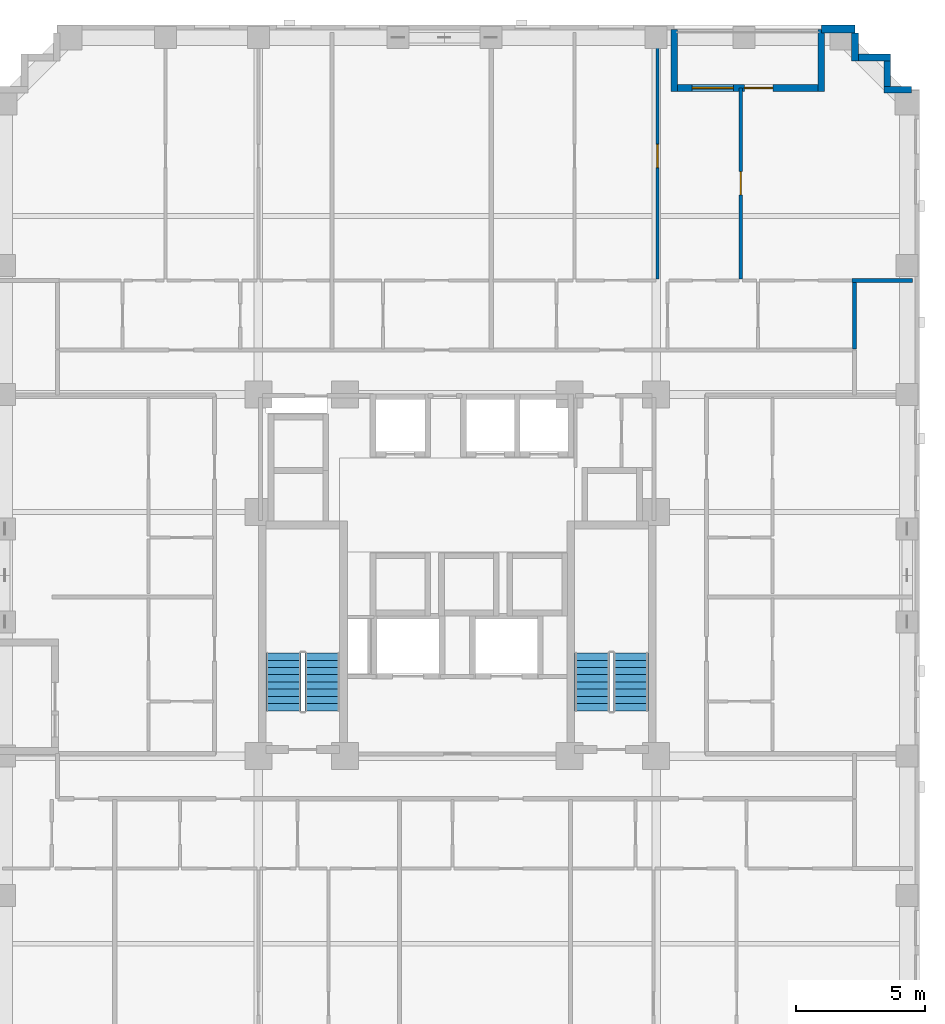
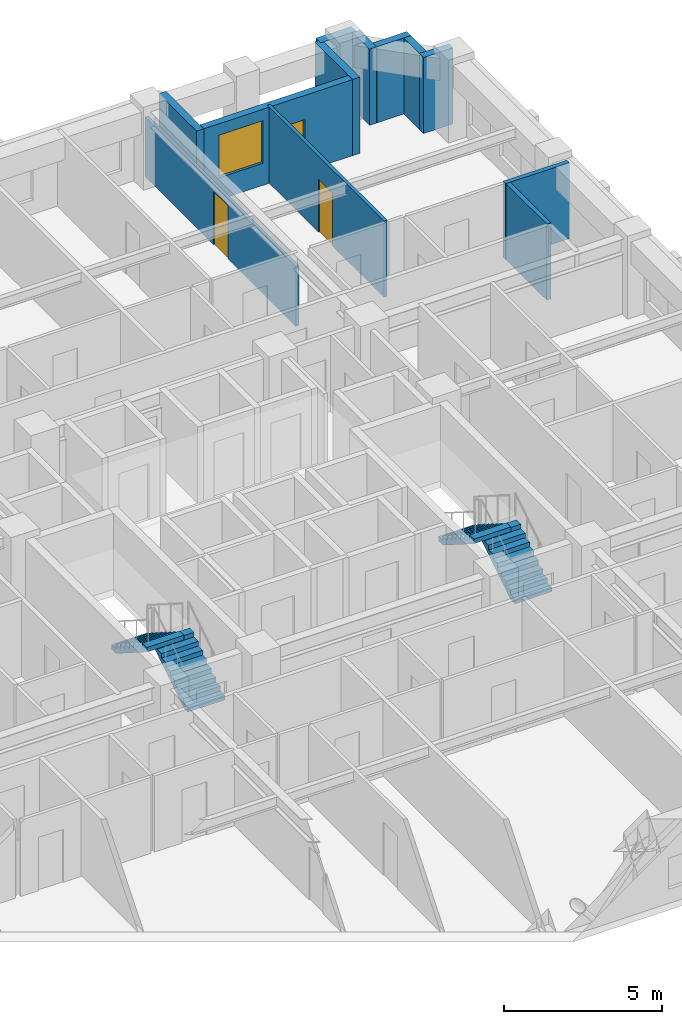
# One storey, part 8 of 12: 12 walls, 4 stair flights, 3 doors, 1 window, 4 openings, 2 elements without a shape of their own.
"""IFC4 building model written with IfcOpenShell, lengths in metres."""

from ifc_helpers import new_model, si_unit, derived_unit, direction, frame, frame_2d, origin, place, context, subcontext, project, spatial, polyline, rectangle, outline, extrude, material, layer, layer_set, type_object, element, fill, aggregate, save


model = new_model("IFC4")

# Units and contexts
model_context = context("Model", 3, precision=1e-05, world=origin(), true_north=direction((0.0, 1.0)))
body_context = subcontext(model_context, "Body", "Model", "MODEL_VIEW")
ifc_project = project(units=[si_unit("LENGTHUNIT", "METRE"), si_unit("AREAUNIT", "SQUARE_METRE"), si_unit("VOLUMEUNIT", "CUBIC_METRE"), si_unit("PLANEANGLEUNIT", "RADIAN"), si_unit("MASSUNIT", "GRAM", prefix="KILO"), derived_unit("THERMALTRANSMITTANCEUNIT", [(si_unit("MASSUNIT", "GRAM", prefix="KILO"), 1), (si_unit("TIMEUNIT", "SECOND"), -3), (si_unit("THERMODYNAMICTEMPERATUREUNIT", "KELVIN"), -1)])], contexts=[model_context])

# Site, building, storey
site_placement = place(None, origin())
site = spatial("IfcSite", under=ifc_project, at=site_placement, CompositionType="ELEMENT")
building_placement = place(site_placement, origin())
building = spatial("IfcBuilding", under=site, at=building_placement, Name="Korrvale Station Residences", CompositionType="ELEMENT")
storey_placement = place(building_placement, frame((0.0, 0.0, 91.10009765625)))
storey = spatial("IfcBuildingStorey", under=building, at=storey_placement, Name="L25", CompositionType="ELEMENT", Elevation=91.10009765625)

# Wall
ifc_material_1 = material(Name="Precast concrete C45/55", Category="concrete")
ifc_layer_1 = layer(ifc_material_1, 0.260009765625, Name="Precast concrete C45/55")
ifc_layer_set_1 = layer_set([ifc_layer_1], Name="Precast concrete C45/55")
wall_type_1 = type_object("IfcWallType", Name="WAL-EXT-LOG260", PredefinedType="SOLIDWALL", material=ifc_layer_set_1)
wall_1_placement = place(storey_placement, frame((33.89990234375, 43.139892578125, 0.0), z_axis=(0.0, 0.0, 1.0), x_axis=(0.0, -1.0, 0.0)))
element("IfcWall", 1, at=wall_1_placement, inside=storey, type_object=wall_type_1, Name="L25 Recessed Loggia Wall BAL-L25-N1-L", PredefinedType="SOLIDWALL", context=body_context, shape_type="SweptSolid", body=[
    extrude(rectangle(XDim=2.39990234375, YDim=0.260009765625, at=frame_2d((1.199951171875, 0.0))), origin(), (0.0, 0.0, 1.0), 2.93994140625),
])

# Wall, openings, door, window
wall_2_placement = place(storey_placement, frame((34.033935546875, 40.8701171875, 0.0), z_axis=(0.0, 0.0, 1.0), x_axis=(1.0, 0.0, 0.0)))
wall_2 = element("IfcWall", 2, at=wall_2_placement, inside=storey, type_object=wall_type_1, Name="L25 Recessed Loggia Wall BAL-L25-N1-B", PredefinedType="SOLIDWALL", context=body_context, shape_type="SweptSolid", body=[
    extrude(rectangle(XDim=5.43212890625, YDim=0.260009765625, at=frame_2d((2.716064453125, 0.0))), origin(), (0.0, 0.0, 1.0), 2.93994140625),
])
opening_1_placement = place(wall_2_placement, frame((2.5859375, 0.0, 0.0)))
opening_1 = element("IfcOpeningElement", 3, at=opening_1_placement, cuts=wall_2, Name="Opening BD-01", PredefinedType="OPENING", context=body_context, shape_type="SweptSolid", body=[
    extrude(rectangle(XDim=1.10009765625, YDim=2.0, at=frame_2d((0.550048828125, 1.0))), frame((0.0, 0.14013671875, 0.0), z_axis=(0.0, -1.0, 0.0), x_axis=(1.0, 0.0, 0.0)), (0.0, 0.0, 1.0), 0.280029296875),
])
opening_2_placement = place(wall_2_placement, frame((0.55810546875, 0.0, 0.85009765625)))
opening_2 = element("IfcOpeningElement", 4, at=opening_2_placement, cuts=wall_2, Name="Opening W-05", PredefinedType="OPENING", context=body_context, shape_type="SweptSolid", body=[
    extrude(rectangle(XDim=1.60009765625, YDim=1.64990234375, at=frame_2d((0.800048828125, 0.824951171875))), frame((0.0, 0.14013671875, 0.0), z_axis=(0.0, -1.0, 0.0), x_axis=(1.0, 0.0, 0.0)), (0.0, 0.0, 1.0), 0.280029296875),
])
ifc_material_2 = material(Name="Exterior thermally broken aluminium glazed balcony door", Category="aluminium")
door_type_1 = type_object("IfcDoorType", Name="DR-EXT-BAL", OperationType="NOTDEFINED", PredefinedType="DOOR", material=ifc_material_2)
door_1_placement = place(opening_1_placement, origin())
door_1 = element("IfcDoor", 5, at=door_1_placement, inside=storey, type_object=door_type_1, Name="L25 Loggia Balcony Door BAL-L25-N1", OperationType="SINGLE_SWING_RIGHT", OverallHeight=2.0, OverallWidth=1.10009765625, PredefinedType="DOOR", context=body_context, shape_type="SweptSolid", body=[
    extrude(rectangle(XDim=1.10009765625, YDim=2.0, at=frame_2d((0.550048828125, 1.0))), frame((0.0, 0.02490234375, 0.0), z_axis=(0.0, -1.0, 0.0), x_axis=(1.0, 0.0, 0.0)), (0.0, 0.0, 1.0), 0.050048828125),
])
fill(opening_1, door_1)
ifc_material_3 = material(Name="Thermally broken aluminium frame with triple low-e glazing", Category="aluminium")
window_type = type_object("IfcWindowType", Name="WIN-W05", PartitioningType="DOUBLE_PANEL_VERTICAL", PredefinedType="WINDOW", material=ifc_material_3)
window_placement = place(opening_2_placement, origin())
window = element("IfcWindow", 6, at=window_placement, inside=storey, type_object=window_type, Name="L25 Punched Window 18", OverallHeight=1.64990234375, OverallWidth=1.60009765625, PartitioningType="DOUBLE_PANEL_VERTICAL", PredefinedType="WINDOW", context=body_context, shape_type="SweptSolid", body=[
    extrude(rectangle(XDim=1.60009765625, YDim=1.64990234375, at=frame_2d((0.800048828125, 0.824951171875))), frame((0.0, 0.030029296875, 0.0), z_axis=(0.0, -1.0, 0.0), x_axis=(1.0, 0.0, 0.0)), (0.0, 0.0, 1.0), 0.06005859375),
])
fill(opening_2, window)

# Walls
wall_3_placement = place(storey_placement, frame((39.60009765625, 40.739990234375, 0.0), z_axis=(0.0, 0.0, 1.0), x_axis=(0.0, 1.0, 0.0)))
element("IfcWall", 7, at=wall_3_placement, inside=storey, type_object=wall_type_1, Name="L25 Recessed Loggia Wall BAL-L25-N1-R", PredefinedType="SOLIDWALL", context=body_context, shape_type="SweptSolid", body=[
    extrude(rectangle(XDim=2.39990234375, YDim=0.260009765625, at=frame_2d((1.199951171875, 0.0))), origin(), (0.0, 0.0, 1.0), 2.93994140625),
])
wall_4_placement = place(storey_placement, frame((40.89990234375, 42.998046875, 0.0), z_axis=(0.0, 0.0, 1.0), x_axis=(0.0, -1.0, 0.0)))
element("IfcWall", 8, at=wall_4_placement, inside=storey, type_object=wall_type_1, Name="L25 Serrated Corner Precast Step NE-1", PredefinedType="SOLIDWALL", context=body_context, shape_type="SweptSolid", body=[
    extrude(rectangle(XDim=1.078125, YDim=0.260009765625, at=frame_2d((0.5390625, 0.0))), origin(), (0.0, 0.0, 1.0), 2.93994140625),
])
wall_5_placement = place(storey_placement, frame((41.031982421875, 42.050048828125, 0.0), z_axis=(0.0, 0.0, 1.0), x_axis=(1.0, 0.0, 0.0)))
element("IfcWall", 9, at=wall_5_placement, inside=storey, type_object=wall_type_1, Name="L25 Serrated Corner Precast Step NE-2", PredefinedType="SOLIDWALL", context=body_context, shape_type="SweptSolid", body=[
    extrude(rectangle(XDim=1.248046875, YDim=0.260009765625, at=frame_2d((0.6240234375, 0.0))), origin(), (0.0, 0.0, 1.0), 2.93994140625),
])
wall_6_placement = place(storey_placement, frame((42.14990234375, 41.91796875, 0.0), z_axis=(0.0, 0.0, 1.0), x_axis=(0.0, -1.0, 0.0)))
element("IfcWall", 10, at=wall_6_placement, inside=storey, type_object=wall_type_1, Name="L25 Serrated Corner Precast Step NE-3", PredefinedType="SOLIDWALL", context=body_context, shape_type="SweptSolid", body=[
    extrude(rectangle(XDim=0.986083984375, YDim=0.260009765625, at=frame_2d((0.4931640625, 0.0))), origin(), (0.0, 0.0, 1.0), 2.93994140625),
])
wall_7_placement = place(storey_placement, frame((42.02001953125, 40.800048828125, 0.0), z_axis=(0.0, 0.0, 1.0), x_axis=(1.0, 0.0, 0.0)))
element("IfcWall", 11, at=wall_7_placement, inside=storey, type_object=wall_type_1, Name="L25 Serrated Corner Precast Step NE-4", PredefinedType="SOLIDWALL", context=body_context, shape_type="SweptSolid", body=[
    extrude(rectangle(XDim=1.077880859375, YDim=0.260009765625, at=frame_2d((0.5390625, 0.0))), origin(), (0.0, 0.0, 1.0), 2.93994140625),
])
ifc_layer_2 = layer(ifc_material_1, 0.300048828125, Name="Precast concrete C45/55")
ifc_layer_set_2 = layer_set([ifc_layer_2], Name="Precast concrete C45/55")
wall_type_2 = type_object("IfcWallType", Name="WAL-EXT-PC300", PredefinedType="SOLIDWALL", material=ifc_layer_set_2)
wall_8_placement = place(storey_placement, frame((39.60009765625, 43.14990234375, 0.0), z_axis=(0.0, 0.0, 1.0), x_axis=(1.0, 0.0, 0.0)))
element("IfcWall", 12, at=wall_8_placement, inside=storey, type_object=wall_type_2, Name="L25 North Exterior Precast Wall 2", PredefinedType="SOLIDWALL", context=body_context, shape_type="SweptSolid", body=[
    extrude(rectangle(XDim=1.2998046875, YDim=0.300048828125, at=frame_2d((0.64990234375, 0.0))), origin(), (0.0, 0.0, 1.0), 2.93994140625),
])

# Wall, opening, door
ifc_material_4 = material(Name="Acoustic steel-stud gypsum board partition", Category="steel")
ifc_layer_3 = layer(ifc_material_4, 0.1201171875, Name="Acoustic steel-stud gypsum board partition")
ifc_layer_set_3 = layer_set([ifc_layer_3], Name="Acoustic steel-stud gypsum board partition")
wall_type_3 = type_object("IfcWallType", Name="WAL-PART-125", PredefinedType="PARTITIONING", material=ifc_layer_set_3)
wall_9_placement = place(storey_placement, frame((33.260009765625, 33.47998046875, 0.0), z_axis=(0.0, 0.0, 1.0), x_axis=(0.0, 1.0, 0.0)))
wall_9 = element("IfcWall", 13, at=wall_9_placement, inside=storey, type_object=wall_type_3, Name="L25 Suite Partition U07-V56", PredefinedType="PARTITIONING", context=body_context, shape_type="SweptSolid", body=[
    extrude(rectangle(XDim=9.5400390625, YDim=0.1201171875, at=frame_2d((4.77001953125, 0.0))), origin(), (0.0, 0.0, 1.0), 2.308837890625),
])
opening_3_placement = place(wall_9_placement, frame((4.304931640625, 0.0, 0.0)))
opening_3 = element("IfcOpeningElement", 14, at=opening_3_placement, cuts=wall_9, Name="Opening DI-900", PredefinedType="OPENING", context=body_context, shape_type="SweptSolid", body=[
    extrude(rectangle(XDim=0.89990234375, YDim=2.050048828125, at=frame_2d((0.449951171875, 1.02490234375))), frame((0.0, 0.070068359375, 0.0), z_axis=(0.0, -1.0, 0.0), x_axis=(1.0, 0.0, 0.0)), (0.0, 0.0, 1.0), 0.14013671875),
])
ifc_material_5 = material(Name="Painted solid-core timber interior room door", Category="wood")
door_type_2 = type_object("IfcDoorType", Name="DR-INT-900", OperationType="NOTDEFINED", PredefinedType="DOOR", material=ifc_material_5)
door_2_placement = place(opening_3_placement, origin())
door_2 = element("IfcDoor", 15, at=door_2_placement, inside=storey, type_object=door_type_2, Name="L25 Studio Apartment L25-U07 Formal Dining Room Door", OperationType="SINGLE_SWING_LEFT", OverallHeight=2.050048828125, OverallWidth=0.89990234375, PredefinedType="DOOR", context=body_context, shape_type="SweptSolid", body=[
    extrude(rectangle(XDim=0.89990234375, YDim=2.050048828125, at=frame_2d((0.449951171875, 1.02490234375))), frame((0.0, 0.02490234375, 0.0), z_axis=(0.0, -1.0, 0.0), x_axis=(1.0, 0.0, 0.0)), (0.0, 0.0, 1.0), 0.050048828125),
])
fill(opening_3, door_2)

wall_10_placement = place(storey_placement, frame((36.47998046875, 33.47998046875, 0.0), z_axis=(0.0, 0.0, 1.0), x_axis=(0.0, 1.0, 0.0)))
wall_10 = element("IfcWall", 16, at=wall_10_placement, inside=storey, type_object=wall_type_3, Name="L25 Suite Partition U07-V67", PredefinedType="PARTITIONING", context=body_context, shape_type="SweptSolid", body=[
    extrude(rectangle(XDim=7.39013671875, YDim=0.1201171875, at=frame_2d((3.695068359375, 0.0))), origin(), (0.0, 0.0, 1.0), 2.93994140625),
])
opening_4_placement = place(wall_10_placement, frame((3.2451171875, 0.0, 0.0)))
opening_4 = element("IfcOpeningElement", 17, at=opening_4_placement, cuts=wall_10, Name="Opening DI-900", PredefinedType="OPENING", context=body_context, shape_type="SweptSolid", body=[
    extrude(rectangle(XDim=0.89990234375, YDim=2.050048828125, at=frame_2d((0.449951171875, 1.02490234375))), frame((0.0, 0.070068359375, 0.0), z_axis=(0.0, -1.0, 0.0), x_axis=(1.0, 0.0, 0.0)), (0.0, 0.0, 1.0), 0.14013671875),
])
door_3_placement = place(opening_4_placement, origin())
door_3 = element("IfcDoor", 18, at=door_3_placement, inside=storey, type_object=door_type_2, Name="L25 Studio Apartment L25-U07 Formal Dining Room Door", OperationType="SINGLE_SWING_RIGHT", OverallHeight=2.050048828125, OverallWidth=0.89990234375, PredefinedType="DOOR", context=body_context, shape_type="SweptSolid", body=[
    extrude(rectangle(XDim=0.89990234375, YDim=2.050048828125, at=frame_2d((0.449951171875, 1.02490234375))), frame((0.0, 0.02490234375, 0.0), z_axis=(0.0, -1.0, 0.0), x_axis=(1.0, 0.0, 0.0)), (0.0, 0.0, 1.0), 0.050048828125),
])
fill(opening_4, door_3)

# Walls
ifc_material_6 = material(Name="Fire-rated twin-stud gypsum and mineral wool shaftwall assembly", Category="gypsum")
ifc_layer_4 = layer(ifc_material_6, 0.159912109375, Name="Fire-rated twin-stud gypsum and mineral wool shaftwall assembly")
ifc_layer_set_4 = layer_set([ifc_layer_4], Name="Fire-rated twin-stud gypsum and mineral wool shaftwall assembly")
wall_type_4 = type_object("IfcWallType", Name="WAL-PART-200", PredefinedType="PARTITIONING", material=ifc_layer_set_4)
wall_11_placement = place(storey_placement, frame((40.780029296875, 33.419921875, 0.0), z_axis=(0.0, 0.0, 1.0), x_axis=(1.0, 0.0, 0.0)))
element("IfcWall", 19, at=wall_11_placement, inside=storey, type_object=wall_type_4, Name="L25 Corner Step Wall U07-R", PredefinedType="PARTITIONING", context=body_context, shape_type="SweptSolid", body=[
    extrude(rectangle(XDim=2.340087890625, YDim=0.159912109375, at=frame_2d((1.169921875, 0.0))), origin(), (0.0, 0.0, 1.0), 2.93994140625),
])
wall_12_placement = place(storey_placement, frame((40.8798828125, 30.760009765625, 0.0), z_axis=(0.0, 0.0, 1.0), x_axis=(0.0, 1.0, 0.0)))
element("IfcWall", 20, at=wall_12_placement, inside=storey, type_object=wall_type_4, Name="L25 Corner Step Cheek U07-R", PredefinedType="PARTITIONING", context=body_context, shape_type="SweptSolid", body=[
    extrude(rectangle(XDim=2.659912109375, YDim=0.159912109375, at=frame_2d((1.330078125, 0.0))), origin(), (0.0, 0.0, 1.0), 2.93994140625),
])

# Stair, stair flights
ifc_material_7 = material(Name="Concrete C50/60", Category="concrete")
stair_type = type_object("IfcStairType", Name="STR-DL-1350-18R-1778", PredefinedType="HALF_TURN_STAIR", material=ifc_material_7)
stair_1_placement = place(storey_placement, origin())
stair_1 = element("IfcStair", 21, at=stair_1_placement, inside=storey, type_object=stair_type, Name="L25 Exit Stair 1", PredefinedType="HALF_TURN_STAIR")
stair_flight_type = type_object("IfcStairFlightType", Name="FLT-DL-1350-18R-1778", PredefinedType="STRAIGHT", material=ifc_material_7)
stair_flight_1_placement = place(storey_placement, frame((20.27490234375, 16.75, 0.0), z_axis=(0.0, 0.0, 1.0), x_axis=(0.0, 1.0, 0.0)))
stair_flight_1 = element("IfcStairFlight", 22, at=stair_flight_1_placement, type_object=stair_flight_type, Name="ST-1 flight 1", NumberOfRisers=9, NumberOfTreads=8, PredefinedType="STRAIGHT", RiserHeight=0.177777778, TreadLength=0.28, context=body_context, shape_type="SweptSolid", body=[
    extrude(outline(polyline([(0.0, 0.0), (0.0, 0.177734375), (0.280029296875, 0.177734375), (0.280029296875, 0.35546875), (0.56005859375, 0.35546875), (0.56005859375, 0.533447265625), (0.840087890625, 0.533447265625), (0.840087890625, 0.711181640625), (1.1201171875, 0.711181640625), (1.1201171875, 0.888916015625), (1.39990234375, 0.888916015625), (1.39990234375, 1.066650390625), (1.679931640625, 1.066650390625), (1.679931640625, 1.244384765625), (1.9599609375, 1.244384765625), (1.9599609375, 1.422119140625), (2.239990234375, 1.422119140625), (2.239990234375, 1.60009765625), (2.239990234375, 1.24462890625), (0.27978515625, 0.0), (0.0, 0.0)])), frame((0.0, 0.675048828125, 0.0), z_axis=(0.0, -1.0, 0.0), x_axis=(1.0, 0.0, 0.0)), (0.0, 0.0, 1.0), 1.35009765625),
])
stair_flight_2_placement = place(storey_placement, frame((18.77490234375, 18.989990234375, 1.599853515625), z_axis=(0.0, 0.0, 1.0), x_axis=(0.0, -1.0, 0.0)))
stair_flight_2 = element("IfcStairFlight", 23, at=stair_flight_2_placement, type_object=stair_flight_type, Name="ST-1 flight 2", NumberOfRisers=9, NumberOfTreads=8, PredefinedType="STRAIGHT", RiserHeight=0.177777778, TreadLength=0.28, context=body_context, shape_type="SweptSolid", body=[
    extrude(outline(polyline([(0.0, 0.0), (0.0, 0.177734375), (0.280029296875, 0.177734375), (0.280029296875, 0.35546875), (0.56005859375, 0.35546875), (0.56005859375, 0.533447265625), (0.840087890625, 0.533447265625), (0.840087890625, 0.711181640625), (1.1201171875, 0.711181640625), (1.1201171875, 0.888916015625), (1.39990234375, 0.888916015625), (1.39990234375, 1.066650390625), (1.679931640625, 1.066650390625), (1.679931640625, 1.244384765625), (1.9599609375, 1.244384765625), (1.9599609375, 1.422119140625), (2.239990234375, 1.422119140625), (2.239990234375, 1.60009765625), (2.239990234375, 1.24462890625), (0.27978515625, 0.0), (0.0, 0.0)])), frame((0.0, 0.675048828125, 0.0), z_axis=(0.0, -1.0, 0.0), x_axis=(1.0, 0.0, 0.0)), (0.0, 0.0, 1.0), 1.35009765625),
])
aggregate(stair_1, [stair_flight_1, stair_flight_2])

stair_2_placement = place(storey_placement, origin())
stair_2 = element("IfcStair", 24, at=stair_2_placement, inside=storey, type_object=stair_type, Name="L25 Exit Stair 2", PredefinedType="HALF_TURN_STAIR")
stair_flight_3_placement = place(storey_placement, frame((32.22509765625, 16.75, 0.0), z_axis=(0.0, 0.0, 1.0), x_axis=(0.0, 1.0, 0.0)))
stair_flight_3 = element("IfcStairFlight", 25, at=stair_flight_3_placement, type_object=stair_flight_type, Name="ST-2 flight 1", NumberOfRisers=9, NumberOfTreads=8, PredefinedType="STRAIGHT", RiserHeight=0.177777778, TreadLength=0.28, context=body_context, shape_type="SweptSolid", body=[
    extrude(outline(polyline([(0.0, 0.0), (0.0, 0.177734375), (0.280029296875, 0.177734375), (0.280029296875, 0.35546875), (0.56005859375, 0.35546875), (0.56005859375, 0.533447265625), (0.840087890625, 0.533447265625), (0.840087890625, 0.711181640625), (1.1201171875, 0.711181640625), (1.1201171875, 0.888916015625), (1.39990234375, 0.888916015625), (1.39990234375, 1.066650390625), (1.679931640625, 1.066650390625), (1.679931640625, 1.244384765625), (1.9599609375, 1.244384765625), (1.9599609375, 1.422119140625), (2.239990234375, 1.422119140625), (2.239990234375, 1.60009765625), (2.239990234375, 1.24462890625), (0.27978515625, 0.0), (0.0, 0.0)])), frame((0.0, 0.675048828125, 0.0), z_axis=(0.0, -1.0, 0.0), x_axis=(1.0, 0.0, 0.0)), (0.0, 0.0, 1.0), 1.35009765625),
])
stair_flight_4_placement = place(storey_placement, frame((30.72509765625, 18.989990234375, 1.599853515625), z_axis=(0.0, 0.0, 1.0), x_axis=(0.0, -1.0, 0.0)))
stair_flight_4 = element("IfcStairFlight", 26, at=stair_flight_4_placement, type_object=stair_flight_type, Name="ST-2 flight 2", NumberOfRisers=9, NumberOfTreads=8, PredefinedType="STRAIGHT", RiserHeight=0.177777778, TreadLength=0.28, context=body_context, shape_type="SweptSolid", body=[
    extrude(outline(polyline([(0.0, 0.0), (0.0, 0.177734375), (0.280029296875, 0.177734375), (0.280029296875, 0.35546875), (0.56005859375, 0.35546875), (0.56005859375, 0.533447265625), (0.840087890625, 0.533447265625), (0.840087890625, 0.711181640625), (1.1201171875, 0.711181640625), (1.1201171875, 0.888916015625), (1.39990234375, 0.888916015625), (1.39990234375, 1.066650390625), (1.679931640625, 1.066650390625), (1.679931640625, 1.244384765625), (1.9599609375, 1.244384765625), (1.9599609375, 1.422119140625), (2.239990234375, 1.422119140625), (2.239990234375, 1.60009765625), (2.239990234375, 1.24462890625), (0.27978515625, 0.0), (0.0, 0.0)])), frame((0.0, 0.675048828125, 0.0), z_axis=(0.0, -1.0, 0.0), x_axis=(1.0, 0.0, 0.0)), (0.0, 0.0, 1.0), 1.35009765625),
])
aggregate(stair_2, [stair_flight_3, stair_flight_4])

save(model, "model.ifc")
